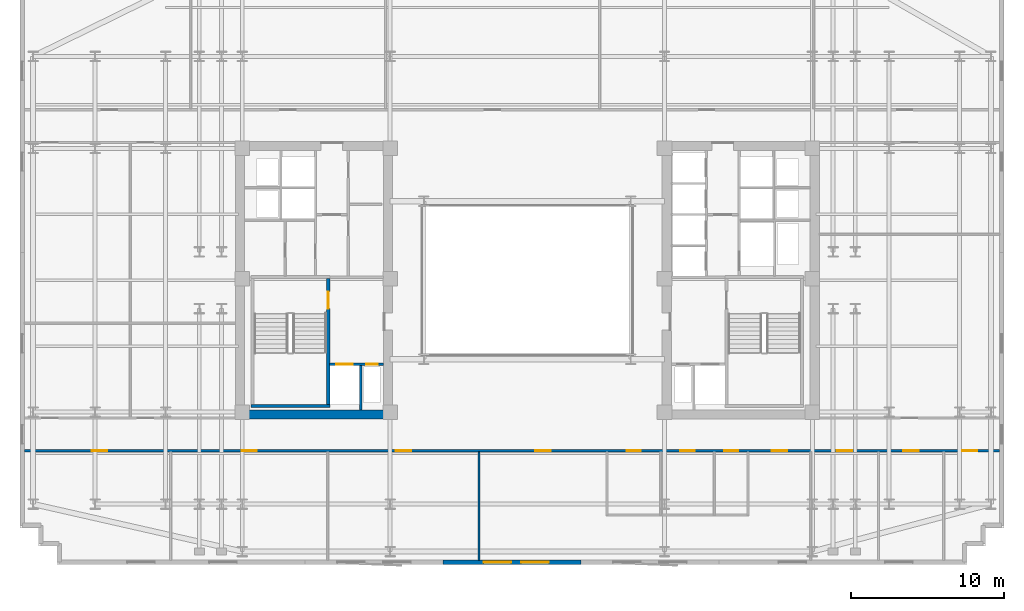
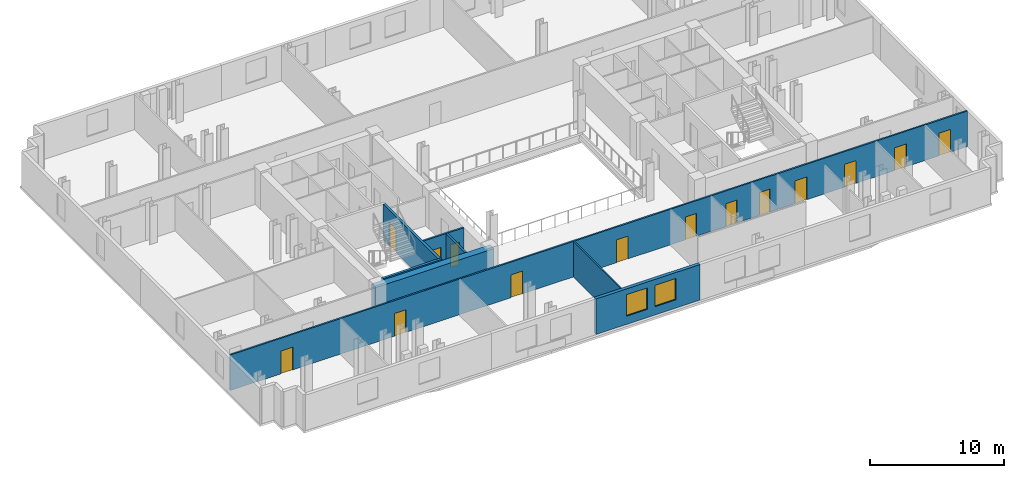
# One storey, part 4 of 9: 14 doors, 8 walls, 2 windows, 16 openings.
"""IFC4 building model written with IfcOpenShell, lengths in metres."""

from ifc_helpers import new_model, si_unit, direction, frame, frame_2d, origin, place, context, subcontext, project, spatial, rectangle, extrude, material, layer, layer_set, type_object, element, fill, save


model = new_model("IFC4")

# Units and contexts
model_context = context("Model", 3, precision=1e-05, world=origin(), true_north=direction((0.0, 1.0)))
body_context = subcontext(model_context, "Body", "Model", "MODEL_VIEW")
ifc_project = project(units=[si_unit("LENGTHUNIT", "METRE"), si_unit("AREAUNIT", "SQUARE_METRE"), si_unit("VOLUMEUNIT", "CUBIC_METRE"), si_unit("PLANEANGLEUNIT", "RADIAN"), si_unit("MASSUNIT", "GRAM", prefix="KILO")], contexts=[model_context])

# Site, building, storey
site_placement = place(None, origin())
site = spatial("IfcSite", under=ifc_project, at=site_placement, CompositionType="ELEMENT")
building_placement = place(site_placement, origin())
building = spatial("IfcBuilding", under=site, at=building_placement, Name="Velakula Bourse", CompositionType="ELEMENT")
storey_placement = place(building_placement, frame((0.0, 0.0, 131.199951171875)))
storey = spatial("IfcBuildingStorey", under=building, at=storey_placement, Name="L35", CompositionType="ELEMENT", Elevation=131.199951171875)

# Wall, opening, door
ifc_material_1 = material(Name="Concrete M50 (fck 50 MPa)", Category="concrete")
ifc_layer_1 = layer(ifc_material_1, 0.2099609375, Name="Concrete M50 (fck 50 MPa)", Category="concrete")
ifc_layer_set_1 = layer_set([ifc_layer_1], Name="Concrete M50 (fck 50 MPa)")
wall_type_1 = type_object("IfcWallType", Name="WL-CORE-210", PredefinedType="SHEAR", material=ifc_layer_set_1)
wall_1_placement = place(storey_placement, frame((-12.9951171875, -8.10009765625, 0.0), z_axis=(0.0, 0.0, 1.0), x_axis=(0.0, 1.0, 0.0)))
wall_1 = element("IfcWall", 1, at=wall_1_placement, inside=storey, type_object=wall_type_1, Name="L35 Core W Stairwell Shear Wall IN", PredefinedType="SHEAR", context=body_context, shape_type="SweptSolid", body=[
    extrude(rectangle(XDim=8.2001953125, YDim=0.2099609375, at=frame_2d((4.10009765625, 0.0))), origin(), (0.0, 0.0, 1.0), 3.27001953125),
])
opening_1_placement = place(wall_1_placement, frame((6.25, 0.0, 0.0)))
opening_1 = element("IfcOpeningElement", 2, at=opening_1_placement, cuts=wall_1, Name="Opening D-STW1", PredefinedType="OPENING", context=body_context, shape_type="SweptSolid", body=[
    extrude(rectangle(XDim=1.10009765625, YDim=2.14990234375, at=frame_2d((0.550048828125, 1.074951171875))), frame((0.0, 0.114990234375, 0.0), z_axis=(0.0, -1.0, 0.0), x_axis=(1.0, 0.0, 0.0)), (0.0, 0.0, 1.0), 0.22998046875),
])
ifc_material_2 = material(Name="Galvanised painted hollow steel fire door", Category="steel")
door_type_1 = type_object("IfcDoorType", Name="DR-FD120-1100x2150", OperationType="NOTDEFINED", PredefinedType="DOOR", material=ifc_material_2)
door_1_placement = place(opening_1_placement, origin())
door_1 = element("IfcDoor", 3, at=door_1_placement, inside=storey, type_object=door_type_1, Name="L35 Stair ST-W1 Fire Door", OperationType="SINGLE_SWING_LEFT", OverallHeight=2.14990234375, OverallWidth=1.10009765625, PredefinedType="DOOR", context=body_context, shape_type="SweptSolid", body=[
    extrude(rectangle(XDim=1.10009765625, YDim=2.14990234375, at=frame_2d((0.550048828125, 1.074951171875))), frame((0.0, 0.02490234375, 0.0), z_axis=(0.0, -1.0, 0.0), x_axis=(1.0, 0.0, 0.0)), (0.0, 0.0, 1.0), 0.050048828125),
])
fill(opening_1, door_1)

# Walls
wall_2_placement = place(storey_placement, frame((-18.030029296875, -8.205078125, 0.0), z_axis=(0.0, 0.0, 1.0), x_axis=(1.0, 0.0, 0.0)))
element("IfcWall", 4, at=wall_2_placement, inside=storey, type_object=wall_type_1, Name="L35 Core W Stairwell Shear Wall S", PredefinedType="SHEAR", context=body_context, shape_type="SweptSolid", body=[
    extrude(rectangle(XDim=5.14013671875, YDim=0.2099609375, at=frame_2d((2.570068359375, 0.0))), origin(), (0.0, 0.0, 1.0), 3.27001953125),
])
ifc_material_3 = material(Name="Concrete M70 (fck 70 MPa)", Category="concrete")
ifc_layer_2 = layer(ifc_material_3, 0.60009765625, Name="Concrete M70 (fck 70 MPa)", Category="concrete")
ifc_layer_set_2 = layer_set([ifc_layer_2], Name="Concrete M70 (fck 70 MPa)")
wall_type_2 = type_object("IfcWallType", Name="WL-CORE-600", PredefinedType="SHEAR", material=ifc_layer_set_2)
wall_3_placement = place(storey_placement, frame((-19.050048828125, -8.75, 0.0), z_axis=(0.0, 0.0, 1.0), x_axis=(1.0, 0.0, 0.0)))
element("IfcWall", 5, at=wall_3_placement, inside=storey, type_object=wall_type_2, Name="L35 Core W Shear Wall S", PredefinedType="SHEAR", context=body_context, shape_type="SweptSolid", body=[
    extrude(rectangle(XDim=10.25, YDim=0.60009765625, at=frame_2d((5.125, 0.0))), origin(), (0.0, 0.0, 1.0), 3.27001953125),
])

# Wall, openings, windows
ifc_material_4 = material(Name="Red kilned clay facing brick masonry", Category="masonry")
ifc_layer_3 = layer(ifc_material_4, 0.280029296875, Name="Red kilned clay facing brick masonry", Category="masonry")
ifc_layer_set_3 = layer_set([ifc_layer_3], Name="Red kilned clay facing brick masonry")
wall_type_3 = type_object("IfcWallType", Name="WL-EXT-BRK-280", PredefinedType="STANDARD", material=ifc_layer_set_3)
wall_4_placement = place(storey_placement, frame((3.5, -18.389892578125, 0.0), z_axis=(0.0, 0.0, 1.0), x_axis=(-1.0, 0.0, 0.0)))
wall_4 = element("IfcWall", 6, at=wall_4_placement, inside=storey, type_object=wall_type_3, Name="L35 S Brick Spandrel Wall B3", PredefinedType="STANDARD", context=body_context, shape_type="SweptSolid", body=[
    extrude(rectangle(XDim=9.0, YDim=0.280029296875, at=frame_2d((4.5, 0.0))), origin(), (0.0, 0.0, 1.0), 3.25),
])
opening_2_placement = place(wall_4_placement, frame((2.10009765625, 0.0, 0.760009765625)))
opening_2 = element("IfcOpeningElement", 7, at=opening_2_placement, cuts=wall_4, Name="Opening W-01", PredefinedType="OPENING", context=body_context, shape_type="SweptSolid", body=[
    extrude(rectangle(XDim=1.800048828125, YDim=1.949951171875, at=frame_2d((0.89990234375, 0.97509765625))), frame((0.0, 0.14990234375, 0.0), z_axis=(0.0, -1.0, 0.0), x_axis=(1.0, 0.0, 0.0)), (0.0, 0.0, 1.0), 0.300048828125),
])
opening_3_placement = place(wall_4_placement, frame((4.550048828125, 0.0, 0.760009765625)))
opening_3 = element("IfcOpeningElement", 8, at=opening_3_placement, cuts=wall_4, Name="Opening W-01", PredefinedType="OPENING", context=body_context, shape_type="SweptSolid", body=[
    extrude(rectangle(XDim=1.800048828125, YDim=1.949951171875, at=frame_2d((0.89990234375, 0.97509765625))), frame((0.0, 0.14990234375, 0.0), z_axis=(0.0, -1.0, 0.0), x_axis=(1.0, 0.0, 0.0)), (0.0, 0.0, 1.0), 0.300048828125),
])
ifc_material_5 = material(Name="Double-glazed solar-control Low-E glass", Category="glass")
window_type = type_object("IfcWindowType", Name="WIN-TWR-1800x2100", PartitioningType="SINGLE_PANEL", PredefinedType="WINDOW", material=ifc_material_5)
window_1_placement = place(opening_2_placement, origin())
window_1 = element("IfcWindow", 9, at=window_1_placement, inside=storey, type_object=window_type, Name="L35 Deep-Set Recessed Window 1", OverallHeight=1.949951171875, OverallWidth=1.800048828125, PartitioningType="SINGLE_PANEL", PredefinedType="WINDOW", context=body_context, shape_type="SweptSolid", body=[
    extrude(rectangle(XDim=1.800048828125, YDim=1.949951171875, at=frame_2d((0.89990234375, 0.97509765625))), frame((0.0, 0.030029296875, 0.0), z_axis=(0.0, -1.0, 0.0), x_axis=(1.0, 0.0, 0.0)), (0.0, 0.0, 1.0), 0.06005859375),
])
fill(opening_2, window_1)
window_2_placement = place(opening_3_placement, origin())
window_2 = element("IfcWindow", 10, at=window_2_placement, inside=storey, type_object=window_type, Name="L35 Deep-Set Recessed Window 2", OverallHeight=1.949951171875, OverallWidth=1.800048828125, PartitioningType="SINGLE_PANEL", PredefinedType="WINDOW", context=body_context, shape_type="SweptSolid", body=[
    extrude(rectangle(XDim=1.800048828125, YDim=1.949951171875, at=frame_2d((0.89990234375, 0.97509765625))), frame((0.0, 0.030029296875, 0.0), z_axis=(0.0, -1.0, 0.0), x_axis=(1.0, 0.0, 0.0)), (0.0, 0.0, 1.0), 0.06005859375),
])
fill(opening_3, window_2)

# Wall
ifc_material_6 = material(Name="Fire-rated double-layer gypsum drywall partition", Category="gypsum")
ifc_layer_4 = layer(ifc_material_6, 0.1201171875, Name="Fire-rated double-layer gypsum drywall partition", Category="gypsum")
ifc_layer_set_4 = layer_set([ifc_layer_4], Name="Fire-rated double-layer gypsum drywall partition")
wall_type_4 = type_object("IfcWallType", Name="WL-PART-120", PredefinedType="STANDARD", material=ifc_layer_set_4)
wall_5_placement = place(storey_placement, frame((-3.15087890625, -18.27001953125, 0.0), z_axis=(0.0, 0.0, 1.0), x_axis=(0.0, 1.0, 0.0)))
element("IfcWall", 11, at=wall_5_placement, inside=storey, type_object=wall_type_4, Name="L35 Interior Partition WL-INT-L35-SL-D7", PredefinedType="STANDARD", context=body_context, shape_type="SweptSolid", body=[
    extrude(rectangle(XDim=7.080078125, YDim=0.1201171875, at=frame_2d((3.5400390625, 0.0))), origin(), (0.0, 0.0, 1.0), 3.25),
])

# Wall, openings, doors
ifc_layer_5 = layer(ifc_material_6, 0.139892578125, Name="Fire-rated double-layer gypsum drywall partition", Category="gypsum")
ifc_layer_set_5 = layer_set([ifc_layer_5], Name="Fire-rated double-layer gypsum drywall partition")
wall_type_5 = type_object("IfcWallType", Name="WL-PART-140", PredefinedType="STANDARD", material=ifc_layer_set_5)
wall_6_placement = place(storey_placement, frame((-32.820068359375, -11.1201171875, 0.0), z_axis=(0.0, 0.0, 1.0), x_axis=(1.0, 0.0, 0.0)))
wall_6 = element("IfcWall", 12, at=wall_6_placement, inside=storey, type_object=wall_type_5, Name="L35 Interior Partition WL-INT-L35-S-CORR", PredefinedType="STANDARD", context=body_context, shape_type="SweptSolid", body=[
    extrude(rectangle(XDim=63.64013671875, YDim=0.139892578125, at=frame_2d((31.820068359375, 0.0))), origin(), (0.0, 0.0, 1.0), 3.25),
])
opening_4_placement = place(wall_6_placement, frame((39.31005859375, 0.0, 0.0)))
opening_4 = element("IfcOpeningElement", 13, at=opening_4_placement, cuts=wall_6, Name="Opening D-WT1", PredefinedType="OPENING", context=body_context, shape_type="SweptSolid", body=[
    extrude(rectangle(XDim=0.919921875, YDim=2.080078125, at=frame_2d((0.4599609375, 1.0400390625))), frame((0.0, 0.079833984375, 0.0), z_axis=(0.0, -1.0, 0.0), x_axis=(1.0, 0.0, 0.0)), (0.0, 0.0, 1.0), 0.159912109375),
])
opening_5_placement = place(wall_6_placement, frame((42.81005859375, 0.0, 0.0)))
opening_5 = element("IfcOpeningElement", 14, at=opening_5_placement, cuts=wall_6, Name="Opening D-WT1", PredefinedType="OPENING", context=body_context, shape_type="SweptSolid", body=[
    extrude(rectangle(XDim=0.919921875, YDim=2.080078125, at=frame_2d((0.4599609375, 1.0400390625))), frame((0.0, 0.079833984375, 0.0), z_axis=(0.0, -1.0, 0.0), x_axis=(1.0, 0.0, 0.0)), (0.0, 0.0, 1.0), 0.159912109375),
])
opening_6_placement = place(wall_6_placement, frame((45.659912109375, 0.0, 0.0)))
opening_6 = element("IfcOpeningElement", 15, at=opening_6_placement, cuts=wall_6, Name="Opening D-WC1", PredefinedType="OPENING", context=body_context, shape_type="SweptSolid", body=[
    extrude(rectangle(XDim=0.919921875, YDim=2.080078125, at=frame_2d((0.4599609375, 1.0400390625))), frame((0.0, 0.079833984375, 0.0), z_axis=(0.0, -1.0, 0.0), x_axis=(1.0, 0.0, 0.0)), (0.0, 0.0, 1.0), 0.159912109375),
])
opening_7_placement = place(wall_6_placement, frame((4.40087890625, 0.0, 0.0)))
opening_7 = element("IfcOpeningElement", 16, at=opening_7_placement, cuts=wall_6, Name="Opening D-OF1", PredefinedType="OPENING", context=body_context, shape_type="SweptSolid", body=[
    extrude(rectangle(XDim=1.0, YDim=2.080078125, at=frame_2d((0.5, 1.0400390625))), frame((0.0, 0.079833984375, 0.0), z_axis=(0.0, -1.0, 0.0), x_axis=(1.0, 0.0, 0.0)), (0.0, 0.0, 1.0), 0.159912109375),
])
opening_8_placement = place(wall_6_placement, frame((14.174560546875, 0.0, 0.0)))
opening_8 = element("IfcOpeningElement", 17, at=opening_8_placement, cuts=wall_6, Name="Opening D-OF1", PredefinedType="OPENING", context=body_context, shape_type="SweptSolid", body=[
    extrude(rectangle(XDim=1.0, YDim=2.080078125, at=frame_2d((0.5, 1.0400390625))), frame((0.0, 0.079833984375, 0.0), z_axis=(0.0, -1.0, 0.0), x_axis=(1.0, 0.0, 0.0)), (0.0, 0.0, 1.0), 0.159912109375),
])
opening_9_placement = place(wall_6_placement, frame((24.23388671875, 0.0, 0.0)))
opening_9 = element("IfcOpeningElement", 18, at=opening_9_placement, cuts=wall_6, Name="Opening D-OF1", PredefinedType="OPENING", context=body_context, shape_type="SweptSolid", body=[
    extrude(rectangle(XDim=1.0, YDim=2.080078125, at=frame_2d((0.5, 1.0400390625))), frame((0.0, 0.079833984375, 0.0), z_axis=(0.0, -1.0, 0.0), x_axis=(1.0, 0.0, 0.0)), (0.0, 0.0, 1.0), 0.159912109375),
])
opening_10_placement = place(wall_6_placement, frame((33.344482421875, 0.0, 0.0)))
opening_10 = element("IfcOpeningElement", 19, at=opening_10_placement, cuts=wall_6, Name="Opening D-OF1", PredefinedType="OPENING", context=body_context, shape_type="SweptSolid", body=[
    extrude(rectangle(XDim=1.0, YDim=2.080078125, at=frame_2d((0.5, 1.0400390625))), frame((0.0, 0.079833984375, 0.0), z_axis=(0.0, -1.0, 0.0), x_axis=(1.0, 0.0, 0.0)), (0.0, 0.0, 1.0), 0.159912109375),
])
opening_11_placement = place(wall_6_placement, frame((48.764892578125, 0.0, 0.0)))
opening_11 = element("IfcOpeningElement", 20, at=opening_11_placement, cuts=wall_6, Name="Opening D-OF1", PredefinedType="OPENING", context=body_context, shape_type="SweptSolid", body=[
    extrude(rectangle(XDim=1.0, YDim=2.080078125, at=frame_2d((0.5, 1.0400390625))), frame((0.0, 0.079833984375, 0.0), z_axis=(0.0, -1.0, 0.0), x_axis=(1.0, 0.0, 0.0)), (0.0, 0.0, 1.0), 0.159912109375),
])
opening_12_placement = place(wall_6_placement, frame((53.0185546875, 0.0, 0.0)))
opening_12 = element("IfcOpeningElement", 21, at=opening_12_placement, cuts=wall_6, Name="Opening D-OF1", PredefinedType="OPENING", context=body_context, shape_type="SweptSolid", body=[
    extrude(rectangle(XDim=1.0, YDim=2.080078125, at=frame_2d((0.5, 1.0400390625))), frame((0.0, 0.079833984375, 0.0), z_axis=(0.0, -1.0, 0.0), x_axis=(1.0, 0.0, 0.0)), (0.0, 0.0, 1.0), 0.159912109375),
])
opening_13_placement = place(wall_6_placement, frame((57.35400390625, 0.0, 0.0)))
opening_13 = element("IfcOpeningElement", 22, at=opening_13_placement, cuts=wall_6, Name="Opening D-OF1", PredefinedType="OPENING", context=body_context, shape_type="SweptSolid", body=[
    extrude(rectangle(XDim=1.0, YDim=2.080078125, at=frame_2d((0.5, 1.0400390625))), frame((0.0, 0.079833984375, 0.0), z_axis=(0.0, -1.0, 0.0), x_axis=(1.0, 0.0, 0.0)), (0.0, 0.0, 1.0), 0.159912109375),
])
opening_14_placement = place(wall_6_placement, frame((61.1845703125, 0.0, 0.0)))
opening_14 = element("IfcOpeningElement", 23, at=opening_14_placement, cuts=wall_6, Name="Opening D-OF1", PredefinedType="OPENING", context=body_context, shape_type="SweptSolid", body=[
    extrude(rectangle(XDim=1.0, YDim=2.080078125, at=frame_2d((0.5, 1.0400390625))), frame((0.0, 0.079833984375, 0.0), z_axis=(0.0, -1.0, 0.0), x_axis=(1.0, 0.0, 0.0)), (0.0, 0.0, 1.0), 0.159912109375),
])
ifc_material_7 = material(Name="Fire-rated hardwood flush architectural door", Category="wood")
door_type_2 = type_object("IfcDoorType", Name="DR-OFF-1000", OperationType="NOTDEFINED", PredefinedType="DOOR", material=ifc_material_7)
door_2_placement = place(opening_7_placement, origin())
door_2 = element("IfcDoor", 24, at=door_2_placement, inside=storey, type_object=door_type_2, Name="L35 Sky-Garden Veranda Lounge Door", OperationType="SINGLE_SWING_LEFT", OverallHeight=2.080078125, OverallWidth=1.0, PredefinedType="DOOR", context=body_context, shape_type="SweptSolid", body=[
    extrude(rectangle(XDim=1.0, YDim=2.080078125, at=frame_2d((0.5, 1.0400390625))), frame((0.0, 0.02490234375, 0.0), z_axis=(0.0, -1.0, 0.0), x_axis=(1.0, 0.0, 0.0)), (0.0, 0.0, 1.0), 0.050048828125),
])
fill(opening_7, door_2)
door_3_placement = place(opening_8_placement, origin())
door_3 = element("IfcDoor", 25, at=door_3_placement, inside=storey, type_object=door_type_2, Name="L35 Bullion Assay Office Door", OperationType="SINGLE_SWING_RIGHT", OverallHeight=2.080078125, OverallWidth=1.0, PredefinedType="DOOR", context=body_context, shape_type="SweptSolid", body=[
    extrude(rectangle(XDim=1.0, YDim=2.080078125, at=frame_2d((0.5, 1.0400390625))), frame((0.0, 0.02490234375, 0.0), z_axis=(0.0, -1.0, 0.0), x_axis=(1.0, 0.0, 0.0)), (0.0, 0.0, 1.0), 0.050048828125),
])
fill(opening_8, door_3)
door_4_placement = place(opening_9_placement, origin())
door_4 = element("IfcDoor", 26, at=door_4_placement, inside=storey, type_object=door_type_2, Name="L35 Disciplinary Hearing Room Door", OperationType="SINGLE_SWING_LEFT", OverallHeight=2.080078125, OverallWidth=1.0, PredefinedType="DOOR", context=body_context, shape_type="SweptSolid", body=[
    extrude(rectangle(XDim=1.0, YDim=2.080078125, at=frame_2d((0.5, 1.0400390625))), frame((0.0, 0.02490234375, 0.0), z_axis=(0.0, -1.0, 0.0), x_axis=(1.0, 0.0, 0.0)), (0.0, 0.0, 1.0), 0.050048828125),
])
fill(opening_9, door_4)
door_5_placement = place(opening_10_placement, origin())
door_5 = element("IfcDoor", 27, at=door_5_placement, inside=storey, type_object=door_type_2, Name="L35 Traders Pantry Door", OperationType="SINGLE_SWING_RIGHT", OverallHeight=2.080078125, OverallWidth=1.0, PredefinedType="DOOR", context=body_context, shape_type="SweptSolid", body=[
    extrude(rectangle(XDim=1.0, YDim=2.080078125, at=frame_2d((0.5, 1.0400390625))), frame((0.0, 0.02490234375, 0.0), z_axis=(0.0, -1.0, 0.0), x_axis=(1.0, 0.0, 0.0)), (0.0, 0.0, 1.0), 0.050048828125),
])
fill(opening_10, door_5)
door_6_placement = place(opening_11_placement, origin())
door_6 = element("IfcDoor", 28, at=door_6_placement, inside=storey, type_object=door_type_2, Name="L35 Bourse Executive Workspace Door", OperationType="SINGLE_SWING_LEFT", OverallHeight=2.080078125, OverallWidth=1.0, PredefinedType="DOOR", context=body_context, shape_type="SweptSolid", body=[
    extrude(rectangle(XDim=1.0, YDim=2.080078125, at=frame_2d((0.5, 1.0400390625))), frame((0.0, 0.02490234375, 0.0), z_axis=(0.0, -1.0, 0.0), x_axis=(1.0, 0.0, 0.0)), (0.0, 0.0, 1.0), 0.050048828125),
])
fill(opening_11, door_6)
door_7_placement = place(opening_12_placement, origin())
door_7 = element("IfcDoor", 29, at=door_7_placement, inside=storey, type_object=door_type_2, Name="L35 Issuer Relations Office Door", OperationType="SINGLE_SWING_RIGHT", OverallHeight=2.080078125, OverallWidth=1.0, PredefinedType="DOOR", context=body_context, shape_type="SweptSolid", body=[
    extrude(rectangle(XDim=1.0, YDim=2.080078125, at=frame_2d((0.5, 1.0400390625))), frame((0.0, 0.02490234375, 0.0), z_axis=(0.0, -1.0, 0.0), x_axis=(1.0, 0.0, 0.0)), (0.0, 0.0, 1.0), 0.050048828125),
])
fill(opening_12, door_7)
door_8_placement = place(opening_13_placement, origin())
door_8 = element("IfcDoor", 30, at=door_8_placement, inside=storey, type_object=door_type_2, Name="L35 Sky-Garden Veranda Lounge Door", OperationType="SINGLE_SWING_LEFT", OverallHeight=2.080078125, OverallWidth=1.0, PredefinedType="DOOR", context=body_context, shape_type="SweptSolid", body=[
    extrude(rectangle(XDim=1.0, YDim=2.080078125, at=frame_2d((0.5, 1.0400390625))), frame((0.0, 0.02490234375, 0.0), z_axis=(0.0, -1.0, 0.0), x_axis=(1.0, 0.0, 0.0)), (0.0, 0.0, 1.0), 0.050048828125),
])
fill(opening_13, door_8)
door_9_placement = place(opening_14_placement, origin())
door_9 = element("IfcDoor", 31, at=door_9_placement, inside=storey, type_object=door_type_2, Name="L35 Bullion Assay Office Door", OperationType="SINGLE_SWING_RIGHT", OverallHeight=2.080078125, OverallWidth=1.0, PredefinedType="DOOR", context=body_context, shape_type="SweptSolid", body=[
    extrude(rectangle(XDim=1.0, YDim=2.080078125, at=frame_2d((0.5, 1.0400390625))), frame((0.0, 0.02490234375, 0.0), z_axis=(0.0, -1.0, 0.0), x_axis=(1.0, 0.0, 0.0)), (0.0, 0.0, 1.0), 0.050048828125),
])
fill(opening_14, door_9)
door_type_3 = type_object("IfcDoorType", Name="DR-WC-950", OperationType="NOTDEFINED", PredefinedType="DOOR", material=ifc_material_7)
door_10_placement = place(opening_4_placement, origin())
door_10 = element("IfcDoor", 32, at=door_10_placement, inside=storey, type_object=door_type_3, Name="L35 Male Staff Toilet Door", OperationType="SINGLE_SWING_RIGHT", OverallHeight=2.080078125, OverallWidth=0.919921875, PredefinedType="DOOR", context=body_context, shape_type="SweptSolid", body=[
    extrude(rectangle(XDim=0.919921875, YDim=2.080078125, at=frame_2d((0.4599609375, 1.0400390625))), frame((0.0, 0.02490234375, 0.0), z_axis=(0.0, -1.0, 0.0), x_axis=(1.0, 0.0, 0.0)), (0.0, 0.0, 1.0), 0.050048828125),
])
fill(opening_4, door_10)
door_11_placement = place(opening_5_placement, origin())
door_11 = element("IfcDoor", 33, at=door_11_placement, inside=storey, type_object=door_type_3, Name="L35 Female Staff Toilet Door", OperationType="SINGLE_SWING_LEFT", OverallHeight=2.080078125, OverallWidth=0.919921875, PredefinedType="DOOR", context=body_context, shape_type="SweptSolid", body=[
    extrude(rectangle(XDim=0.919921875, YDim=2.080078125, at=frame_2d((0.4599609375, 1.0400390625))), frame((0.0, 0.02490234375, 0.0), z_axis=(0.0, -1.0, 0.0), x_axis=(1.0, 0.0, 0.0)), (0.0, 0.0, 1.0), 0.050048828125),
])
fill(opening_5, door_11)
door_12_placement = place(opening_6_placement, origin())
door_12 = element("IfcDoor", 34, at=door_12_placement, inside=storey, type_object=door_type_3, Name="L35 Accessible WC Door", OperationType="SINGLE_SWING_RIGHT", OverallHeight=2.080078125, OverallWidth=0.919921875, PredefinedType="DOOR", context=body_context, shape_type="SweptSolid", body=[
    extrude(rectangle(XDim=0.919921875, YDim=2.080078125, at=frame_2d((0.4599609375, 1.0400390625))), frame((0.0, 0.02490234375, 0.0), z_axis=(0.0, -1.0, 0.0), x_axis=(1.0, 0.0, 0.0)), (0.0, 0.0, 1.0), 0.050048828125),
])
fill(opening_6, door_12)

ifc_material_8 = material(Name="Autoclaved aerated concrete blockwork masonry", Category="masonry")
ifc_layer_6 = layer(ifc_material_8, 0.14990234375, Name="Autoclaved aerated concrete blockwork masonry", Category="masonry")
ifc_layer_set_6 = layer_set([ifc_layer_6], Name="Autoclaved aerated concrete blockwork masonry")
wall_type_6 = type_object("IfcWallType", Name="WL-SHAFT-150", PredefinedType="STANDARD", material=ifc_layer_set_6)
wall_7_placement = place(storey_placement, frame((-12.89501953125, -5.47509765625, 0.0), z_axis=(0.0, 0.0, 1.0), x_axis=(1.0, 0.0, 0.0)))
wall_7 = element("IfcWall", 35, at=wall_7_placement, inside=storey, type_object=wall_type_6, Name="L35 Interior Partition WL-CRW-L35-FFL-N", PredefinedType="STANDARD", context=body_context, shape_type="SweptSolid", body=[
    extrude(rectangle(XDim=3.4951171875, YDim=0.14990234375, at=frame_2d((1.74755859375, 0.0))), origin(), (0.0, 0.0, 1.0), 3.25),
])
opening_15_placement = place(wall_7_placement, frame((0.419921875, 0.0, 0.0)))
opening_15 = element("IfcOpeningElement", 36, at=opening_15_placement, cuts=wall_7, Name="Opening LD-FFL-1", PredefinedType="OPENING", context=body_context, shape_type="SweptSolid", body=[
    extrude(rectangle(XDim=1.10009765625, YDim=2.14990234375, at=frame_2d((0.550048828125, 1.074951171875))), frame((0.0, 0.0849609375, 0.0), z_axis=(0.0, -1.0, 0.0), x_axis=(1.0, 0.0, 0.0)), (0.0, 0.0, 1.0), 0.169921875),
])
opening_16_placement = place(wall_7_placement, frame((2.3701171875, 0.0, 0.0)))
opening_16 = element("IfcOpeningElement", 37, at=opening_16_placement, cuts=wall_7, Name="Opening D-RS1", PredefinedType="OPENING", context=body_context, shape_type="SweptSolid", body=[
    extrude(rectangle(XDim=0.75, YDim=2.050048828125, at=frame_2d((0.375, 1.02490234375))), frame((0.0, 0.0849609375, 0.0), z_axis=(0.0, -1.0, 0.0), x_axis=(1.0, 0.0, 0.0)), (0.0, 0.0, 1.0), 0.169921875),
])
door_type_4 = type_object("IfcDoorType", Name="DR-RISER-800", OperationType="NOTDEFINED", PredefinedType="DOOR", material=ifc_material_2)
door_13_placement = place(opening_16_placement, origin())
door_13 = element("IfcDoor", 38, at=door_13_placement, inside=storey, type_object=door_type_4, Name="L35 Fire Riser Access Door", OperationType="SINGLE_SWING_LEFT", OverallHeight=2.050048828125, OverallWidth=0.75, PredefinedType="DOOR", context=body_context, shape_type="SweptSolid", body=[
    extrude(rectangle(XDim=0.75, YDim=2.050048828125, at=frame_2d((0.375, 1.02490234375))), frame((0.0, 0.02490234375, 0.0), z_axis=(0.0, -1.0, 0.0), x_axis=(1.0, 0.0, 0.0)), (0.0, 0.0, 1.0), 0.050048828125),
])
fill(opening_16, door_13)
ifc_material_9 = material(Name="Brushed grade 316 stainless steel", Category="steel")
door_type_5 = type_object("IfcDoorType", Name="DR-SLIDE-FFL-1100", OperationType="DOUBLE_DOOR_SLIDING", PredefinedType="DOOR", material=ifc_material_9)
door_14_placement = place(opening_15_placement, origin())
door_14 = element("IfcDoor", 39, at=door_14_placement, inside=storey, type_object=door_type_5, Name="L35 Firefighting Lift FFL-1 Sliding Landing Door", OperationType="DOUBLE_DOOR_SLIDING", OverallHeight=2.14990234375, OverallWidth=1.10009765625, PredefinedType="DOOR", context=body_context, shape_type="SweptSolid", body=[
    extrude(rectangle(XDim=1.10009765625, YDim=2.14990234375, at=frame_2d((0.550048828125, 1.074951171875))), frame((0.0, 0.02490234375, 0.0), z_axis=(0.0, -1.0, 0.0), x_axis=(1.0, 0.0, 0.0)), (0.0, 0.0, 1.0), 0.050048828125),
])
fill(opening_15, door_14)

# Wall
wall_8_placement = place(storey_placement, frame((-10.875, -8.449951171875, 0.0), z_axis=(0.0, 0.0, 1.0), x_axis=(0.0, 1.0, 0.0)))
element("IfcWall", 40, at=wall_8_placement, inside=storey, type_object=wall_type_6, Name="L35 Interior Partition WL-CRW-L35-FR-DIV", PredefinedType="STANDARD", context=body_context, shape_type="SweptSolid", body=[
    extrude(rectangle(XDim=2.89990234375, YDim=0.14990234375, at=frame_2d((1.449951171875, 0.0))), origin(), (0.0, 0.0, 1.0), 3.25),
])

save(model, "model.ifc")
